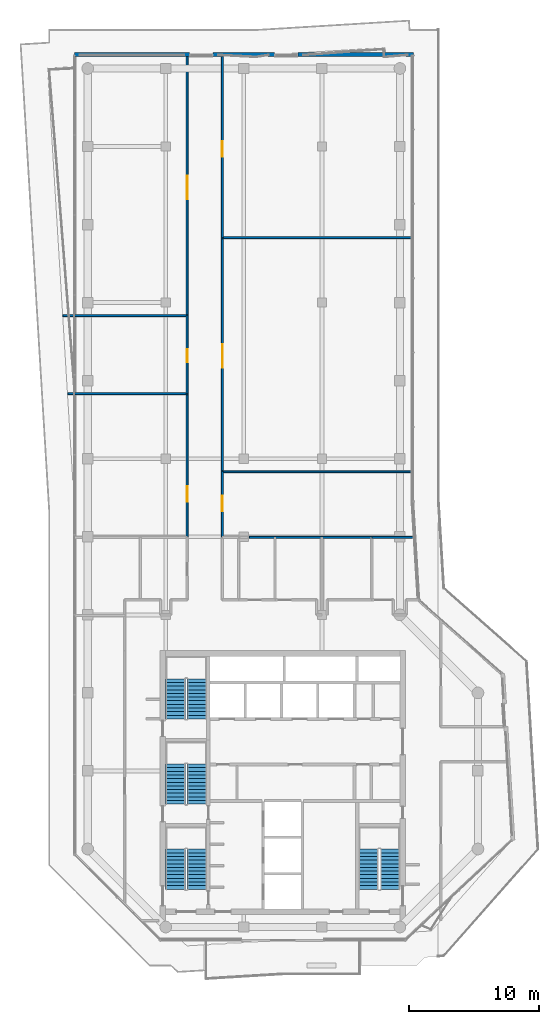
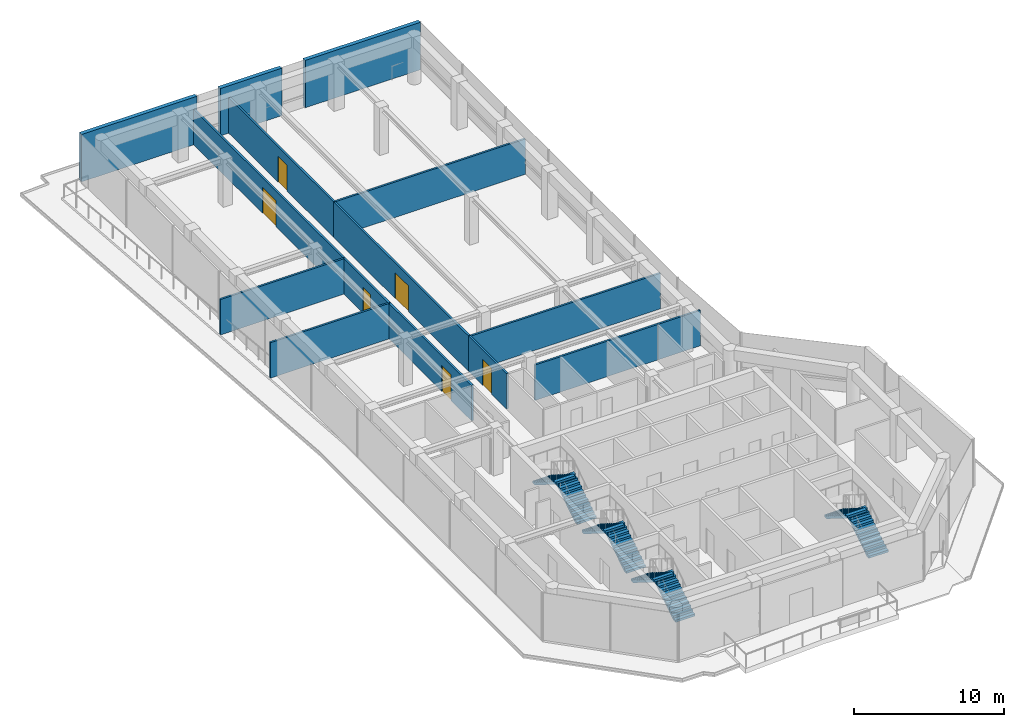
# One storey, part 19 of 21: 15 walls, 8 stair flights, 6 doors, 6 openings, 4 elements without a shape of their own.
"""IFC4 building model written with IfcOpenShell, lengths in metres."""

from ifc_helpers import new_model, si_unit, direction, frame, frame_2d, origin, place, context, subcontext, project, spatial, polyline, rectangle, outline, extrude, material, layer, layer_set, type_object, element, fill, aggregate, save


model = new_model("IFC4")

# Units and contexts
model_context = context("Model", 3, precision=1e-05, world=origin(), true_north=direction((0.0, 1.0)))
body_context = subcontext(model_context, "Body", "Model", "MODEL_VIEW")
ifc_project = project(units=[si_unit("LENGTHUNIT", "METRE"), si_unit("AREAUNIT", "SQUARE_METRE"), si_unit("VOLUMEUNIT", "CUBIC_METRE"), si_unit("PLANEANGLEUNIT", "RADIAN"), si_unit("MASSUNIT", "GRAM", prefix="KILO")], contexts=[model_context])

# Site, building, storey
site_placement = place(None, origin())
site = spatial("IfcSite", under=ifc_project, at=site_placement, CompositionType="ELEMENT")
building_placement = place(site_placement, origin())
building = spatial("IfcBuilding", under=site, at=building_placement, Name="Welwitschia Terrace Campus", CompositionType="ELEMENT")
storey_placement = place(building_placement, frame((0.0, 0.0, 213.800048828125)))
storey = spatial("IfcBuildingStorey", under=building, at=storey_placement, Name="L47", CompositionType="ELEMENT", Elevation=213.800048828125)

# Walls
ifc_material_1 = material(Name="Gypsum board on steel studs", Category="steel")
ifc_layer_1 = layer(ifc_material_1, 0.14990234375)
ifc_layer_set_1 = layer_set([ifc_layer_1], Name="Gypsum board on steel studs")
wall_type_1 = type_object("IfcWallType", Name="Corridor partition 150 EI 30", PredefinedType="PARTITIONING", material=ifc_layer_set_1)
wall_1_placement = place(storey_placement, frame((-1.89990234375, 51.0, 0.0), z_axis=(0.0, 0.0, 1.0), x_axis=(1.0, 0.0, 0.0)))
element("IfcWall", 1, at=wall_1_placement, inside=storey, type_object=wall_type_1, Name="Partition", PredefinedType="PARTITIONING", context=body_context, shape_type="SweptSolid", body=[
    extrude(rectangle(XDim=9.5498046875, YDim=0.14990234375, at=frame_2d((4.77490234375, 0.0))), origin(), (0.0, 0.0, 1.0), 2.8798828125),
])
wall_2_placement = place(storey_placement, frame((-1.530029296875, 45.0, 0.0), z_axis=(0.0, 0.0, 1.0), x_axis=(1.0, 0.0, 0.0)))
element("IfcWall", 2, at=wall_2_placement, inside=storey, type_object=wall_type_1, Name="Partition", PredefinedType="PARTITIONING", context=body_context, shape_type="SweptSolid", body=[
    extrude(rectangle(XDim=9.179931640625, YDim=0.14990234375, at=frame_2d((4.58984375, 0.0))), origin(), (0.0, 0.0, 1.0), 2.8798828125),
])

# Wall, opening, door
wall_3_placement = place(storey_placement, frame((7.64990234375, 33.949951171875, 0.0), z_axis=(0.0, 0.0, 1.0), x_axis=(0.0, 1.0, 0.0)))
wall_3 = element("IfcWall", 3, at=wall_3_placement, inside=storey, type_object=wall_type_1, Name="Partition", PredefinedType="PARTITIONING", context=body_context, shape_type="SweptSolid", body=[
    extrude(rectangle(XDim=11.050048828125, YDim=0.14990234375, at=frame_2d((5.52490234375, 0.0))), origin(), (0.0, 0.0, 1.0), 2.8798828125),
])
opening_1_placement = place(wall_3_placement, frame((2.75, 0.0, 0.0)))
opening_1 = element("IfcOpeningElement", 4, at=opening_1_placement, cuts=wall_3, Name="Opening DI12", PredefinedType="OPENING", context=body_context, shape_type="SweptSolid", body=[
    extrude(rectangle(XDim=1.199951171875, YDim=2.10009765625, at=frame_2d((0.60009765625, 1.050048828125))), frame((0.0, 0.0849609375, 0.0), z_axis=(0.0, -1.0, 0.0), x_axis=(1.0, 0.0, 0.0)), (0.0, 0.0, 1.0), 0.169921875),
])
ifc_material_2 = material(Name="Timber veneered door", Category="wood")
door_type_1 = type_object("IfcDoorType", Name="Interior door DI12", OperationType="NOTDEFINED", PredefinedType="DOOR", material=ifc_material_2)
door_1_placement = place(opening_1_placement, origin())
door_1 = element("IfcDoor", 5, at=door_1_placement, inside=storey, type_object=door_type_1, Name="Door L47 886", OperationType="SINGLE_SWING_LEFT", OverallHeight=2.10009765625, OverallWidth=1.199951171875, PredefinedType="DOOR", context=body_context, shape_type="SweptSolid", body=[
    extrude(rectangle(XDim=1.199951171875, YDim=2.10009765625, at=frame_2d((0.60009765625, 1.050048828125))), frame((0.0, 0.02490234375, 0.0), z_axis=(0.0, -1.0, 0.0), x_axis=(1.0, 0.0, 0.0)), (0.0, 0.0, 1.0), 0.050048828125),
])
fill(opening_1, door_1)

wall_4_placement = place(storey_placement, frame((7.64990234375, 45.0, 0.0), z_axis=(0.0, 0.0, 1.0), x_axis=(0.0, 1.0, 0.0)))
wall_4 = element("IfcWall", 6, at=wall_4_placement, inside=storey, type_object=wall_type_1, Name="Partition", PredefinedType="PARTITIONING", context=body_context, shape_type="SweptSolid", body=[
    extrude(rectangle(XDim=6.0, YDim=0.14990234375, at=frame_2d((3.0, 0.0))), origin(), (0.0, 0.0, 1.0), 2.8798828125),
])
opening_2_placement = place(wall_4_placement, frame((2.39990234375, 0.0, 0.0)))
opening_2 = element("IfcOpeningElement", 7, at=opening_2_placement, cuts=wall_4, Name="Opening DI10", PredefinedType="OPENING", context=body_context, shape_type="SweptSolid", body=[
    extrude(rectangle(XDim=1.0, YDim=2.10009765625, at=frame_2d((0.5, 1.050048828125))), frame((0.0, 0.0849609375, 0.0), z_axis=(0.0, -1.0, 0.0), x_axis=(1.0, 0.0, 0.0)), (0.0, 0.0, 1.0), 0.169921875),
])
ifc_material_3 = material(Name="Timber veneered door", Category="wood")
door_type_2 = type_object("IfcDoorType", Name="Interior door DI10", OperationType="NOTDEFINED", PredefinedType="DOOR", material=ifc_material_3)
door_2_placement = place(opening_2_placement, origin())
door_2 = element("IfcDoor", 8, at=door_2_placement, inside=storey, type_object=door_type_2, Name="Door L47 887", OperationType="SINGLE_SWING_RIGHT", OverallHeight=2.10009765625, OverallWidth=1.0, PredefinedType="DOOR", context=body_context, shape_type="SweptSolid", body=[
    extrude(rectangle(XDim=1.0, YDim=2.10009765625, at=frame_2d((0.5, 1.050048828125))), frame((0.0, 0.02490234375, 0.0), z_axis=(0.0, -1.0, 0.0), x_axis=(1.0, 0.0, 0.0)), (0.0, 0.0, 1.0), 0.050048828125),
])
fill(opening_2, door_2)

wall_5_placement = place(storey_placement, frame((7.64990234375, 71.090087890625, 0.0), z_axis=(0.0, 0.0, 1.0), x_axis=(0.0, -1.0, 0.0)))
wall_5 = element("IfcWall", 9, at=wall_5_placement, inside=storey, type_object=wall_type_1, Name="Partition", PredefinedType="PARTITIONING", context=body_context, shape_type="SweptSolid", body=[
    extrude(rectangle(XDim=20.090087890625, YDim=0.14990234375, at=frame_2d((10.044921875, 0.0))), origin(), (0.0, 0.0, 1.0), 2.8798828125),
])
opening_3_placement = place(wall_5_placement, frame((9.330078125, 0.0, 0.0)))
opening_3 = element("IfcOpeningElement", 10, at=opening_3_placement, cuts=wall_5, Name="Opening DI18", PredefinedType="OPENING", context=body_context, shape_type="SweptSolid", body=[
    extrude(rectangle(XDim=1.800048828125, YDim=2.10009765625, at=frame_2d((0.89990234375, 1.050048828125))), frame((0.0, 0.0849609375, 0.0), z_axis=(0.0, -1.0, 0.0), x_axis=(1.0, 0.0, 0.0)), (0.0, 0.0, 1.0), 0.169921875),
])
ifc_material_4 = material(Name="Timber veneered door", Category="wood")
door_type_3 = type_object("IfcDoorType", Name="Interior door DI18", OperationType="DOUBLE_DOOR_SINGLE_SWING", PredefinedType="DOOR", material=ifc_material_4)
door_3_placement = place(opening_3_placement, origin())
door_3 = element("IfcDoor", 11, at=door_3_placement, inside=storey, type_object=door_type_3, Name="Door L47 888", OperationType="SINGLE_SWING_LEFT", OverallHeight=2.10009765625, OverallWidth=1.800048828125, PredefinedType="DOOR", context=body_context, shape_type="SweptSolid", body=[
    extrude(rectangle(XDim=1.800048828125, YDim=2.10009765625, at=frame_2d((0.89990234375, 1.050048828125))), frame((0.0, 0.02490234375, 0.0), z_axis=(0.0, -1.0, 0.0), x_axis=(1.0, 0.0, 0.0)), (0.0, 0.0, 1.0), 0.050048828125),
])
fill(opening_3, door_3)

wall_6_placement = place(storey_placement, frame((10.35009765625, 39.0, 0.0), z_axis=(0.0, 0.0, 1.0), x_axis=(0.0, -1.0, 0.0)))
wall_6 = element("IfcWall", 12, at=wall_6_placement, inside=storey, type_object=wall_type_1, Name="Partition", PredefinedType="PARTITIONING", context=body_context, shape_type="SweptSolid", body=[
    extrude(rectangle(XDim=5.050048828125, YDim=0.14990234375, at=frame_2d((2.52490234375, 0.0))), origin(), (0.0, 0.0, 1.0), 2.8798828125),
])
opening_4_placement = place(wall_6_placement, frame((1.85009765625, 0.0, 0.0)))
opening_4 = element("IfcOpeningElement", 13, at=opening_4_placement, cuts=wall_6, Name="Opening DI12", PredefinedType="OPENING", context=body_context, shape_type="SweptSolid", body=[
    extrude(rectangle(XDim=1.199951171875, YDim=2.10009765625, at=frame_2d((0.60009765625, 1.050048828125))), frame((0.0, 0.0849609375, 0.0), z_axis=(0.0, -1.0, 0.0), x_axis=(1.0, 0.0, 0.0)), (0.0, 0.0, 1.0), 0.169921875),
])
door_4_placement = place(opening_4_placement, origin())
door_4 = element("IfcDoor", 14, at=door_4_placement, inside=storey, type_object=door_type_1, Name="Door L47 889", OperationType="SINGLE_SWING_RIGHT", OverallHeight=2.10009765625, OverallWidth=1.199951171875, PredefinedType="DOOR", context=body_context, shape_type="SweptSolid", body=[
    extrude(rectangle(XDim=1.199951171875, YDim=2.10009765625, at=frame_2d((0.60009765625, 1.050048828125))), frame((0.0, 0.02490234375, 0.0), z_axis=(0.0, -1.0, 0.0), x_axis=(1.0, 0.0, 0.0)), (0.0, 0.0, 1.0), 0.050048828125),
])
fill(opening_4, door_4)

wall_7_placement = place(storey_placement, frame((10.35009765625, 39.0, 0.0), z_axis=(0.0, 0.0, 1.0), x_axis=(0.0, 1.0, 0.0)))
wall_7 = element("IfcWall", 15, at=wall_7_placement, inside=storey, type_object=wall_type_1, Name="Partition", PredefinedType="PARTITIONING", context=body_context, shape_type="SweptSolid", body=[
    extrude(rectangle(XDim=18.0, YDim=0.14990234375, at=frame_2d((9.0, 0.0))), origin(), (0.0, 0.0, 1.0), 2.8798828125),
])
opening_5_placement = place(wall_7_placement, frame((8.0, 0.0, 0.0)))
opening_5 = element("IfcOpeningElement", 16, at=opening_5_placement, cuts=wall_7, Name="Opening DI18", PredefinedType="OPENING", context=body_context, shape_type="SweptSolid", body=[
    extrude(rectangle(XDim=1.800048828125, YDim=2.10009765625, at=frame_2d((0.89990234375, 1.050048828125))), frame((0.0, 0.0849609375, 0.0), z_axis=(0.0, -1.0, 0.0), x_axis=(1.0, 0.0, 0.0)), (0.0, 0.0, 1.0), 0.169921875),
])
door_5_placement = place(opening_5_placement, origin())
door_5 = element("IfcDoor", 17, at=door_5_placement, inside=storey, type_object=door_type_3, Name="Door L47 890", OperationType="SINGLE_SWING_LEFT", OverallHeight=2.10009765625, OverallWidth=1.800048828125, PredefinedType="DOOR", context=body_context, shape_type="SweptSolid", body=[
    extrude(rectangle(XDim=1.800048828125, YDim=2.10009765625, at=frame_2d((0.89990234375, 1.050048828125))), frame((0.0, 0.02490234375, 0.0), z_axis=(0.0, -1.0, 0.0), x_axis=(1.0, 0.0, 0.0)), (0.0, 0.0, 1.0), 0.050048828125),
])
fill(opening_5, door_5)

# Walls
for number, where, z_axis, x_axis, name in (
    (18, (10.35009765625, 39.0, 0.0), (0.0, 0.0, 1.0), (1.0, 0.0, 0.0), "Partition"),
    (19, (10.35009765625, 57.0, 0.0), (0.0, 0.0, 1.0), (1.0, 0.0, 0.0), "Partition"),
):
    element("IfcWall", number, at=place(storey_placement, frame(where, z_axis=z_axis, x_axis=x_axis)), inside=storey, type_object=wall_type_1, Name=name, PredefinedType="PARTITIONING", context=body_context, shape_type="SweptSolid", body=[
        extrude(rectangle(XDim=14.6298828125, YDim=0.14990234375, at=frame_2d((7.31494140625, 0.0))), origin(), (0.0, 0.0, 1.0), 2.8798828125),
    ])

# Wall, opening, door
wall_8_placement = place(storey_placement, frame((10.35009765625, 71.090087890625, 0.0), z_axis=(0.0, 0.0, 1.0), x_axis=(0.0, -1.0, 0.0)))
wall_8 = element("IfcWall", 20, at=wall_8_placement, inside=storey, type_object=wall_type_1, Name="Partition", PredefinedType="PARTITIONING", context=body_context, shape_type="SweptSolid", body=[
    extrude(rectangle(XDim=14.090087890625, YDim=0.14990234375, at=frame_2d((7.044921875, 0.0))), origin(), (0.0, 0.0, 1.0), 2.8798828125),
])
opening_6_placement = place(wall_8_placement, frame((6.68994140625, 0.0, 0.0)))
opening_6 = element("IfcOpeningElement", 21, at=opening_6_placement, cuts=wall_8, Name="Opening DI12", PredefinedType="OPENING", context=body_context, shape_type="SweptSolid", body=[
    extrude(rectangle(XDim=1.199951171875, YDim=2.10009765625, at=frame_2d((0.60009765625, 1.050048828125))), frame((0.0, 0.0849609375, 0.0), z_axis=(0.0, -1.0, 0.0), x_axis=(1.0, 0.0, 0.0)), (0.0, 0.0, 1.0), 0.169921875),
])
door_6_placement = place(opening_6_placement, origin())
door_6 = element("IfcDoor", 22, at=door_6_placement, inside=storey, type_object=door_type_1, Name="Door L47 891", OperationType="SINGLE_SWING_RIGHT", OverallHeight=2.10009765625, OverallWidth=1.199951171875, PredefinedType="DOOR", context=body_context, shape_type="SweptSolid", body=[
    extrude(rectangle(XDim=1.199951171875, YDim=2.10009765625, at=frame_2d((0.60009765625, 1.050048828125))), frame((0.0, 0.02490234375, 0.0), z_axis=(0.0, -1.0, 0.0), x_axis=(1.0, 0.0, 0.0)), (0.0, 0.0, 1.0), 0.050048828125),
])
fill(opening_6, door_6)

# Walls
wall_9_placement = place(storey_placement, frame((12.419921875, 33.949951171875, 0.0), z_axis=(0.0, 0.0, 1.0), x_axis=(1.0, 0.0, 0.0)))
element("IfcWall", 23, at=wall_9_placement, inside=storey, type_object=wall_type_1, Name="Partition", PredefinedType="PARTITIONING", context=body_context, shape_type="SweptSolid", body=[
    extrude(rectangle(XDim=9.43017578125, YDim=0.14990234375, at=frame_2d((4.715087890625, 0.0))), origin(), (0.0, 0.0, 1.0), 2.8798828125),
])
wall_10_placement = place(storey_placement, frame((21.85009765625, 33.949951171875, 0.0), z_axis=(0.0, 0.0, 1.0), x_axis=(1.0, 0.0, 0.0)))
element("IfcWall", 24, at=wall_10_placement, inside=storey, type_object=wall_type_1, Name="Partition", PredefinedType="PARTITIONING", context=body_context, shape_type="SweptSolid", body=[
    extrude(rectangle(XDim=3.2998046875, YDim=0.14990234375, at=frame_2d((1.64990234375, 0.0))), origin(), (0.0, 0.0, 1.0), 2.8798828125),
])
ifc_material_5 = material(Name="Concrete C40/50", Category="concrete")
ifc_layer_2 = layer(ifc_material_5, 0.300048828125)
ifc_layer_set_2 = layer_set([ifc_layer_2], Name="Concrete C40/50")
wall_type_2 = type_object("IfcWallType", Name="Mass wall 300", PredefinedType="SOLIDWALL", material=ifc_layer_set_2)
wall_11_placement = place(storey_placement, frame((25.030029296875, 71.078125, 0.0), z_axis=(0.0, 0.0, 1.0), x_axis=(-1.0, 0.0, 0.0)))
element("IfcWall", 25, at=wall_11_placement, inside=storey, type_object=wall_type_2, Name="Mass wall L47.7.0", PredefinedType="SOLIDWALL", context=body_context, shape_type="SweptSolid", body=[
    extrude(rectangle(XDim=8.87255859375, YDim=0.300048828125, at=frame_2d((4.436279296875, 0.0))), origin(), (0.0, 0.0, 1.0), 3.849853515625),
])
wall_12_placement = place(storey_placement, frame((14.357421875, 71.080078125, 0.0), z_axis=(0.0, 0.0, 1.0), x_axis=(-1.0, 0.0, 0.0)))
element("IfcWall", 26, at=wall_12_placement, inside=storey, type_object=wall_type_2, Name="Mass wall L47.7.1", PredefinedType="SOLIDWALL", context=body_context, shape_type="SweptSolid", body=[
    extrude(rectangle(XDim=4.71484375, YDim=0.300048828125, at=frame_2d((2.357421875, 0.0))), origin(), (0.0, 0.0, 1.0), 3.849853515625),
])
wall_13_placement = place(storey_placement, frame((7.842529296875, 71.078125, 0.0), z_axis=(0.0, 0.0, 1.0), x_axis=(-1.0, 0.0, 0.0)))
element("IfcWall", 27, at=wall_13_placement, inside=storey, type_object=wall_type_2, Name="Mass wall L47.7.2", PredefinedType="SOLIDWALL", context=body_context, shape_type="SweptSolid", body=[
    extrude(rectangle(XDim=8.87255859375, YDim=0.300048828125, at=frame_2d((4.436279296875, 0.0))), origin(), (0.0, 0.0, 1.0), 3.849853515625),
])

# Stair, stair flights
ifc_material_6 = material(Name="Concrete C40/50", Category="concrete")
stair_type = type_object("IfcStairType", Name="Stair 24R 175 W1500", PredefinedType="HALF_TURN_STAIR", material=ifc_material_6)
stair_1_placement = place(storey_placement, origin())
stair_1 = element("IfcStair", 28, at=stair_1_placement, inside=storey, type_object=stair_type, Name="L47 Exit stair S1", PredefinedType="HALF_TURN_STAIR")
ifc_material_7 = material(Name="Concrete C40/50", Category="concrete")
stair_flight_type = type_object("IfcStairFlightType", Name="Stair flight 24R 175 W1500", PredefinedType="STRAIGHT", material=ifc_material_7)
stair_flight_1_placement = place(storey_placement, frame((8.39990234375, 6.89990234375, 0.0), z_axis=(0.0, 0.0, 1.0), x_axis=(0.0, 1.0, 0.0)))
stair_flight_1 = element("IfcStairFlight", 29, at=stair_flight_1_placement, type_object=stair_flight_type, Name="S1 flight 1", NumberOfRisers=12, NumberOfTreads=11, PredefinedType="STRAIGHT", RiserHeight=0.175, TreadLength=0.28, context=body_context, shape_type="SweptSolid", body=[
    extrude(outline(polyline([(0.0, 0.0), (0.0, 0.175048828125), (0.280029296875, 0.175048828125), (0.280029296875, 0.35009765625), (0.56005859375, 0.35009765625), (0.56005859375, 0.52490234375), (0.840087890625, 0.52490234375), (0.840087890625, 0.699951171875), (1.1201171875, 0.699951171875), (1.1201171875, 0.875), (1.39990234375, 0.875), (1.39990234375, 1.050048828125), (1.679931640625, 1.050048828125), (1.679931640625, 1.22509765625), (1.9599609375, 1.22509765625), (1.9599609375, 1.39990234375), (2.239990234375, 1.39990234375), (2.239990234375, 1.574951171875), (2.52001953125, 1.574951171875), (2.52001953125, 1.75), (2.800048828125, 1.75), (2.800048828125, 1.925048828125), (3.080078125, 1.925048828125), (3.080078125, 2.10009765625), (3.080078125, 1.748291015625), (0.28271484375, 0.0), (0.0, 0.0)])), frame((0.0, 0.75, 0.0), z_axis=(0.0, -1.0, 0.0), x_axis=(1.0, 0.0, 0.0)), (0.0, 0.0, 1.0), 1.5),
])
stair_flight_2_placement = place(storey_placement, frame((6.75, 9.97998046875, 2.099853515625), z_axis=(0.0, 0.0, 1.0), x_axis=(0.0, -1.0, 0.0)))
stair_flight_2 = element("IfcStairFlight", 30, at=stair_flight_2_placement, type_object=stair_flight_type, Name="S1 flight 2", NumberOfRisers=12, NumberOfTreads=11, PredefinedType="STRAIGHT", RiserHeight=0.175, TreadLength=0.28, context=body_context, shape_type="SweptSolid", body=[
    extrude(outline(polyline([(0.0, 0.0), (0.0, 0.175048828125), (0.280029296875, 0.175048828125), (0.280029296875, 0.35009765625), (0.56005859375, 0.35009765625), (0.56005859375, 0.52490234375), (0.840087890625, 0.52490234375), (0.840087890625, 0.699951171875), (1.1201171875, 0.699951171875), (1.1201171875, 0.875), (1.39990234375, 0.875), (1.39990234375, 1.050048828125), (1.679931640625, 1.050048828125), (1.679931640625, 1.22509765625), (1.9599609375, 1.22509765625), (1.9599609375, 1.39990234375), (2.239990234375, 1.39990234375), (2.239990234375, 1.574951171875), (2.52001953125, 1.574951171875), (2.52001953125, 1.75), (2.800048828125, 1.75), (2.800048828125, 1.925048828125), (3.080078125, 1.925048828125), (3.080078125, 2.10009765625), (3.080078125, 1.748291015625), (0.28271484375, 0.0), (0.0, 0.0)])), frame((0.0, 0.75, 0.0), z_axis=(0.0, -1.0, 0.0), x_axis=(1.0, 0.0, 0.0)), (0.0, 0.0, 1.0), 1.5),
])
aggregate(stair_1, [stair_flight_1, stair_flight_2])

stair_2_placement = place(storey_placement, origin())
stair_2 = element("IfcStair", 31, at=stair_2_placement, inside=storey, type_object=stair_type, Name="L47 Exit stair S3", PredefinedType="HALF_TURN_STAIR")
stair_flight_3_placement = place(storey_placement, frame((8.39990234375, 13.449951171875, 0.0), z_axis=(0.0, 0.0, 1.0), x_axis=(0.0, 1.0, 0.0)))
stair_flight_3 = element("IfcStairFlight", 32, at=stair_flight_3_placement, type_object=stair_flight_type, Name="S3 flight 1", NumberOfRisers=12, NumberOfTreads=11, PredefinedType="STRAIGHT", RiserHeight=0.175, TreadLength=0.28, context=body_context, shape_type="SweptSolid", body=[
    extrude(outline(polyline([(0.0, 0.0), (0.0, 0.175048828125), (0.280029296875, 0.175048828125), (0.280029296875, 0.35009765625), (0.56005859375, 0.35009765625), (0.56005859375, 0.52490234375), (0.840087890625, 0.52490234375), (0.840087890625, 0.699951171875), (1.1201171875, 0.699951171875), (1.1201171875, 0.875), (1.39990234375, 0.875), (1.39990234375, 1.050048828125), (1.679931640625, 1.050048828125), (1.679931640625, 1.22509765625), (1.9599609375, 1.22509765625), (1.9599609375, 1.39990234375), (2.239990234375, 1.39990234375), (2.239990234375, 1.574951171875), (2.52001953125, 1.574951171875), (2.52001953125, 1.75), (2.800048828125, 1.75), (2.800048828125, 1.925048828125), (3.080078125, 1.925048828125), (3.080078125, 2.10009765625), (3.080078125, 1.748291015625), (0.28271484375, 0.0), (0.0, 0.0)])), frame((0.0, 0.75, 0.0), z_axis=(0.0, -1.0, 0.0), x_axis=(1.0, 0.0, 0.0)), (0.0, 0.0, 1.0), 1.5),
])
stair_flight_4_placement = place(storey_placement, frame((6.75, 16.530029296875, 2.099853515625), z_axis=(0.0, 0.0, 1.0), x_axis=(0.0, -1.0, 0.0)))
stair_flight_4 = element("IfcStairFlight", 33, at=stair_flight_4_placement, type_object=stair_flight_type, Name="S3 flight 2", NumberOfRisers=12, NumberOfTreads=11, PredefinedType="STRAIGHT", RiserHeight=0.175, TreadLength=0.28, context=body_context, shape_type="SweptSolid", body=[
    extrude(outline(polyline([(0.0, 0.0), (0.0, 0.175048828125), (0.280029296875, 0.175048828125), (0.280029296875, 0.35009765625), (0.56005859375, 0.35009765625), (0.56005859375, 0.52490234375), (0.840087890625, 0.52490234375), (0.840087890625, 0.699951171875), (1.1201171875, 0.699951171875), (1.1201171875, 0.875), (1.39990234375, 0.875), (1.39990234375, 1.050048828125), (1.679931640625, 1.050048828125), (1.679931640625, 1.22509765625), (1.9599609375, 1.22509765625), (1.9599609375, 1.39990234375), (2.239990234375, 1.39990234375), (2.239990234375, 1.574951171875), (2.52001953125, 1.574951171875), (2.52001953125, 1.75), (2.800048828125, 1.75), (2.800048828125, 1.925048828125), (3.080078125, 1.925048828125), (3.080078125, 2.10009765625), (3.080078125, 1.748291015625), (0.28271484375, 0.0), (0.0, 0.0)])), frame((0.0, 0.75, 0.0), z_axis=(0.0, -1.0, 0.0), x_axis=(1.0, 0.0, 0.0)), (0.0, 0.0, 1.0), 1.5),
])
aggregate(stair_2, [stair_flight_3, stair_flight_4])

stair_3_placement = place(storey_placement, origin())
stair_3 = element("IfcStair", 34, at=stair_3_placement, inside=storey, type_object=stair_type, Name="L47 Exit stair S4", PredefinedType="HALF_TURN_STAIR")
stair_flight_5_placement = place(storey_placement, frame((8.39990234375, 20.0, 0.0), z_axis=(0.0, 0.0, 1.0), x_axis=(0.0, 1.0, 0.0)))
stair_flight_5 = element("IfcStairFlight", 35, at=stair_flight_5_placement, type_object=stair_flight_type, Name="S4 flight 1", NumberOfRisers=12, NumberOfTreads=11, PredefinedType="STRAIGHT", RiserHeight=0.175, TreadLength=0.28, context=body_context, shape_type="SweptSolid", body=[
    extrude(outline(polyline([(0.0, 0.0), (0.0, 0.175048828125), (0.280029296875, 0.175048828125), (0.280029296875, 0.35009765625), (0.56005859375, 0.35009765625), (0.56005859375, 0.52490234375), (0.840087890625, 0.52490234375), (0.840087890625, 0.699951171875), (1.1201171875, 0.699951171875), (1.1201171875, 0.875), (1.39990234375, 0.875), (1.39990234375, 1.050048828125), (1.679931640625, 1.050048828125), (1.679931640625, 1.22509765625), (1.9599609375, 1.22509765625), (1.9599609375, 1.39990234375), (2.239990234375, 1.39990234375), (2.239990234375, 1.574951171875), (2.52001953125, 1.574951171875), (2.52001953125, 1.75), (2.800048828125, 1.75), (2.800048828125, 1.925048828125), (3.080078125, 1.925048828125), (3.080078125, 2.10009765625), (3.080078125, 1.748291015625), (0.28271484375, 0.0), (0.0, 0.0)])), frame((0.0, 0.75, 0.0), z_axis=(0.0, -1.0, 0.0), x_axis=(1.0, 0.0, 0.0)), (0.0, 0.0, 1.0), 1.5),
])
stair_flight_6_placement = place(storey_placement, frame((6.75, 23.080078125, 2.099853515625), z_axis=(0.0, 0.0, 1.0), x_axis=(0.0, -1.0, 0.0)))
stair_flight_6 = element("IfcStairFlight", 36, at=stair_flight_6_placement, type_object=stair_flight_type, Name="S4 flight 2", NumberOfRisers=12, NumberOfTreads=11, PredefinedType="STRAIGHT", RiserHeight=0.175, TreadLength=0.28, context=body_context, shape_type="SweptSolid", body=[
    extrude(outline(polyline([(0.0, 0.0), (0.0, 0.175048828125), (0.280029296875, 0.175048828125), (0.280029296875, 0.35009765625), (0.56005859375, 0.35009765625), (0.56005859375, 0.52490234375), (0.840087890625, 0.52490234375), (0.840087890625, 0.699951171875), (1.1201171875, 0.699951171875), (1.1201171875, 0.875), (1.39990234375, 0.875), (1.39990234375, 1.050048828125), (1.679931640625, 1.050048828125), (1.679931640625, 1.22509765625), (1.9599609375, 1.22509765625), (1.9599609375, 1.39990234375), (2.239990234375, 1.39990234375), (2.239990234375, 1.574951171875), (2.52001953125, 1.574951171875), (2.52001953125, 1.75), (2.800048828125, 1.75), (2.800048828125, 1.925048828125), (3.080078125, 1.925048828125), (3.080078125, 2.10009765625), (3.080078125, 1.748291015625), (0.28271484375, 0.0), (0.0, 0.0)])), frame((0.0, 0.75, 0.0), z_axis=(0.0, -1.0, 0.0), x_axis=(1.0, 0.0, 0.0)), (0.0, 0.0, 1.0), 1.5),
])
aggregate(stair_3, [stair_flight_5, stair_flight_6])

stair_4_placement = place(storey_placement, origin())
stair_4 = element("IfcStair", 37, at=stair_4_placement, inside=storey, type_object=stair_type, Name="L47 Exit stair S2", PredefinedType="HALF_TURN_STAIR")
stair_flight_7_placement = place(storey_placement, frame((23.25, 6.89990234375, 0.0), z_axis=(0.0, 0.0, 1.0), x_axis=(0.0, 1.0, 0.0)))
stair_flight_7 = element("IfcStairFlight", 38, at=stair_flight_7_placement, type_object=stair_flight_type, Name="S2 flight 1", NumberOfRisers=12, NumberOfTreads=11, PredefinedType="STRAIGHT", RiserHeight=0.175, TreadLength=0.28, context=body_context, shape_type="SweptSolid", body=[
    extrude(outline(polyline([(0.0, 0.0), (0.0, 0.175048828125), (0.280029296875, 0.175048828125), (0.280029296875, 0.35009765625), (0.56005859375, 0.35009765625), (0.56005859375, 0.52490234375), (0.840087890625, 0.52490234375), (0.840087890625, 0.699951171875), (1.1201171875, 0.699951171875), (1.1201171875, 0.875), (1.39990234375, 0.875), (1.39990234375, 1.050048828125), (1.679931640625, 1.050048828125), (1.679931640625, 1.22509765625), (1.9599609375, 1.22509765625), (1.9599609375, 1.39990234375), (2.239990234375, 1.39990234375), (2.239990234375, 1.574951171875), (2.52001953125, 1.574951171875), (2.52001953125, 1.75), (2.800048828125, 1.75), (2.800048828125, 1.925048828125), (3.080078125, 1.925048828125), (3.080078125, 2.10009765625), (3.080078125, 1.748291015625), (0.28271484375, 0.0), (0.0, 0.0)])), frame((0.0, 0.75, 0.0), z_axis=(0.0, -1.0, 0.0), x_axis=(1.0, 0.0, 0.0)), (0.0, 0.0, 1.0), 1.5),
])
stair_flight_8_placement = place(storey_placement, frame((21.60009765625, 9.97998046875, 2.099853515625), z_axis=(0.0, 0.0, 1.0), x_axis=(0.0, -1.0, 0.0)))
stair_flight_8 = element("IfcStairFlight", 39, at=stair_flight_8_placement, type_object=stair_flight_type, Name="S2 flight 2", NumberOfRisers=12, NumberOfTreads=11, PredefinedType="STRAIGHT", RiserHeight=0.175, TreadLength=0.28, context=body_context, shape_type="SweptSolid", body=[
    extrude(outline(polyline([(0.0, 0.0), (0.0, 0.175048828125), (0.280029296875, 0.175048828125), (0.280029296875, 0.35009765625), (0.56005859375, 0.35009765625), (0.56005859375, 0.52490234375), (0.840087890625, 0.52490234375), (0.840087890625, 0.699951171875), (1.1201171875, 0.699951171875), (1.1201171875, 0.875), (1.39990234375, 0.875), (1.39990234375, 1.050048828125), (1.679931640625, 1.050048828125), (1.679931640625, 1.22509765625), (1.9599609375, 1.22509765625), (1.9599609375, 1.39990234375), (2.239990234375, 1.39990234375), (2.239990234375, 1.574951171875), (2.52001953125, 1.574951171875), (2.52001953125, 1.75), (2.800048828125, 1.75), (2.800048828125, 1.925048828125), (3.080078125, 1.925048828125), (3.080078125, 2.10009765625), (3.080078125, 1.748291015625), (0.28271484375, 0.0), (0.0, 0.0)])), frame((0.0, 0.75, 0.0), z_axis=(0.0, -1.0, 0.0), x_axis=(1.0, 0.0, 0.0)), (0.0, 0.0, 1.0), 1.5),
])
aggregate(stair_4, [stair_flight_7, stair_flight_8])

save(model, "model.ifc")
